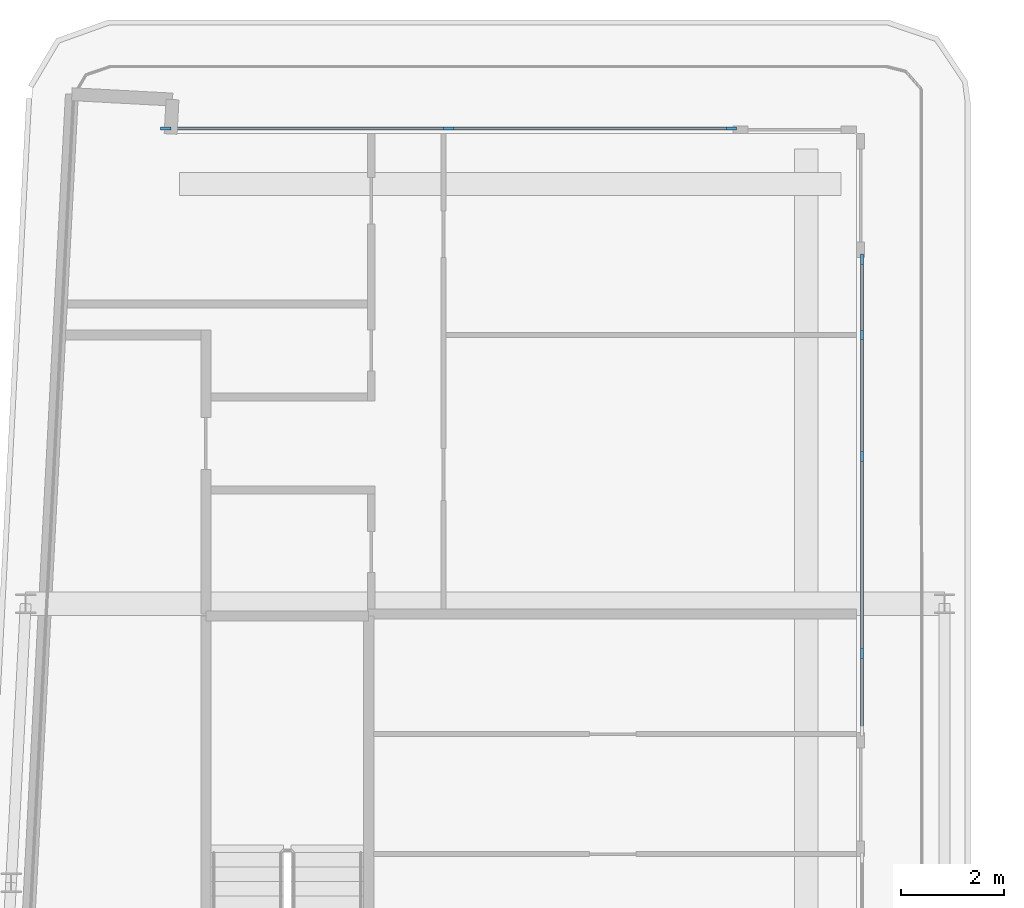
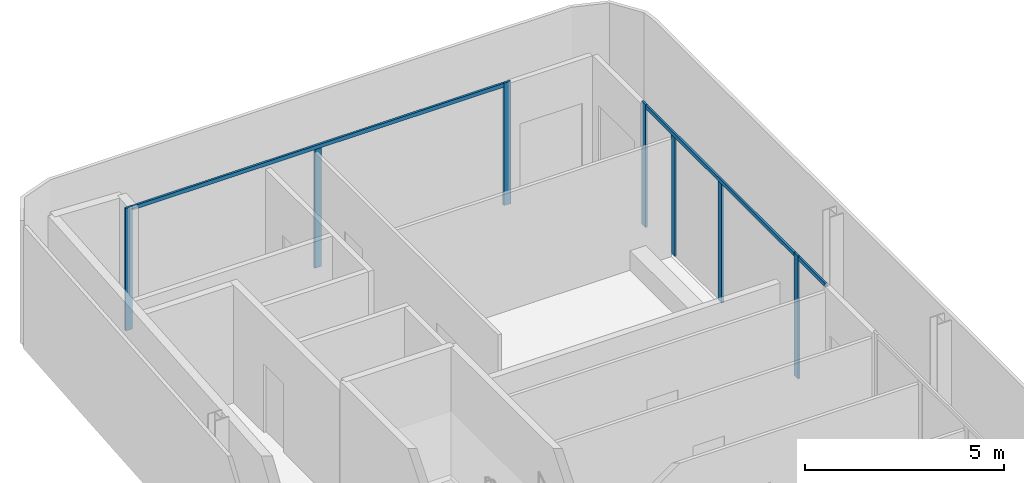
# One storey, part 8 of 21: 10 members, 3 elements without a shape of their own.
"""IFC4 building model written with IfcOpenShell, lengths in metres."""

import ifcopenshell
import ifcopenshell.guid

model = None  # the IFC model being written
_history = None  # IfcOwnerHistory: only IFC2X3 demands one
_inside = {}  # id of a spatial element -> (the spatial element, [elements in it])
_under = {}  # id of a project, library or spatial element -> (it, [spatial elements below it])
_declared = {}  # id of a project -> (the project, [libraries it declares])
_typed = {}  # id of a type object -> (the type object, [elements of that type])
_made_of = {}  # id of a material, layer set ... -> (it, [elements and type objects made of it])


def new_model(schema):
    """Start an empty IFC model of exactly this schema.

    Asked for "IFC4X3", IfcOpenShell would pick the latest addendum, in which some entities
    have other attributes; the version numbers below select the first issue.
    IFC2X3 requires an IfcOwnerHistory on every rooted entity: one is made here for all.
    """
    global model, _history
    if schema == "IFC4X3":
        model = ifcopenshell.file(schema_version=(4, 3, 0, 0))
    else:
        model = ifcopenshell.file(schema=schema)
    _inside.clear()
    _under.clear()
    _declared.clear()
    _typed.clear()
    _made_of.clear()
    _history = None
    if model.schema == "IFC2X3":
        org = make("IfcOrganization", Name="unknown")
        user = make(
            "IfcPersonAndOrganization",
            ThePerson=make("IfcPerson", FamilyName="unknown"),
            TheOrganization=org,
        )
        app = make(
            "IfcApplication",
            ApplicationDeveloper=org,
            Version="unknown",
            ApplicationFullName="unknown",
            ApplicationIdentifier="unknown",
        )
        _history = make(
            "IfcOwnerHistory",
            OwningUser=user,
            OwningApplication=app,
            ChangeAction="ADDED",
            CreationDate=0,
        )
    return model


def make(cls, **values):
    """One entity of the class cls with the attributes given. An attribute that is None is left unset."""
    return model.create_entity(
        cls, **{name: value for name, value in values.items() if value is not None}
    )


def rooted(cls, **values):
    """An entity with a GlobalId (a new one), such as an element, a storey or a relation."""
    return make(cls, GlobalId=ifcopenshell.guid.new(), OwnerHistory=_history, **values)


def si_unit(unit_type, name, prefix=None):
    """IfcSIUnit, for example si_unit("LENGTHUNIT", "METRE", prefix="MILLI")."""
    return make("IfcSIUnit", UnitType=unit_type, Prefix=prefix, Name=name)


def assignment(units):
    """IfcUnitAssignment: the units of a project."""
    return None if units is None else make("IfcUnitAssignment", Units=units)


def point(xyz):
    """IfcCartesianPoint."""
    return None if xyz is None else make("IfcCartesianPoint", Coordinates=xyz)


def direction(xyz):
    """IfcDirection."""
    return None if xyz is None else make("IfcDirection", DirectionRatios=xyz)


def frame(location, z_axis=None, x_axis=None):
    """IfcAxis2Placement3D, a coordinate frame: its origin and axes. An axis left out is left unset."""
    return make(
        "IfcAxis2Placement3D",
        Location=point(location),
        Axis=direction(z_axis),
        RefDirection=direction(x_axis),
    )


def frame_2d(location, x_axis=None):
    """IfcAxis2Placement2D, a coordinate frame in the plane: its origin and x axis."""
    return make(
        "IfcAxis2Placement2D", Location=point(location), RefDirection=direction(x_axis)
    )


def origin():
    """The frame at (0, 0, 0) with its axes left unset."""
    return frame((0.0, 0.0, 0.0))


def origin_2d():
    """The frame at (0, 0) in the plane with its x axis left unset."""
    return frame_2d((0.0, 0.0))


def place(relative_to, where):
    """IfcLocalPlacement: puts the frame where relative to a parent placement (None: the world)."""
    return make(
        "IfcLocalPlacement", PlacementRelTo=relative_to, RelativePlacement=where
    )


def context(
    kind, dimensions, precision=None, world=None, true_north=None, identifier=None
):
    """IfcGeometricRepresentationContext, for example the 3D "Model" context."""
    return make(
        "IfcGeometricRepresentationContext",
        ContextIdentifier=identifier,
        ContextType=kind,
        CoordinateSpaceDimension=dimensions,
        Precision=precision,
        WorldCoordinateSystem=world,
        TrueNorth=true_north,
    )


def subcontext(parent, identifier, kind, view, scale=None):
    """IfcGeometricRepresentationSubContext, for example "Body" below "Model"."""
    return make(
        "IfcGeometricRepresentationSubContext",
        ContextIdentifier=identifier,
        ContextType=kind,
        ParentContext=parent,
        TargetScale=scale,
        TargetView=view,
    )


def project(units=None, contexts=None):
    """IfcProject with its units and contexts."""
    return rooted(
        "IfcProject",
        Name="project",
        RepresentationContexts=contexts,
        UnitsInContext=assignment(units),
    )


def spatial(cls, under=None, at=None, **own):
    """A site, building, storey or space (cls), placed at a placement, below another one or the project."""
    s = rooted(cls, ObjectPlacement=at, **own)
    if under is not None:
        _under.setdefault(under.id(), (under, []))[1].append(s)
    return s


def profile(cls, at=None, kind="AREA", **sizes):
    """A parametric profile (cls). Its sizes go by their IFC names, for example OverallWidth=200.0."""
    return make(cls, ProfileType=kind, Position=at, **sizes)


def rectangle(**sizes):
    """IfcRectangleProfileDef."""
    return profile("IfcRectangleProfileDef", **sizes)


def extrude(swept, where, along, depth):
    """IfcExtrudedAreaSolid: the profile swept, set in the frame where, extruded along a direction by depth."""
    return make(
        "IfcExtrudedAreaSolid",
        SweptArea=swept,
        Position=where,
        ExtrudedDirection=direction(along),
        Depth=depth,
    )


def shape(context_of_items, identifier, shape_type, items):
    """IfcShapeRepresentation: the items that make up one representation, for example the "Body"."""
    return make(
        "IfcShapeRepresentation",
        ContextOfItems=context_of_items,
        RepresentationIdentifier=identifier,
        RepresentationType=shape_type,
        Items=items,
    )


def material(Name=None, Category=None):
    """IfcMaterial."""
    return make("IfcMaterial", Name=Name, Category=Category)


def layer(
    of_material, thickness, ventilated=None, Name=None, Category=None, Priority=None
):
    """IfcMaterialLayer: one layer of a wall or slab, of a material (None: an air gap)."""
    return make(
        "IfcMaterialLayer",
        Material=of_material,
        LayerThickness=thickness,
        IsVentilated=ventilated,
        Name=Name,
        Category=Category,
        Priority=Priority,
    )


def layer_set(layers, Name=None):
    """IfcMaterialLayerSet."""
    return make("IfcMaterialLayerSet", MaterialLayers=layers, LayerSetName=Name)


def material_profile(
    of_material, cross_section, Name=None, Category=None, Priority=None
):
    """IfcMaterialProfile: a cross section and its material."""
    return make(
        "IfcMaterialProfile",
        Name=Name,
        Material=of_material,
        Profile=cross_section,
        Priority=Priority,
        Category=Category,
    )


def profile_set(profiles, Name=None, composite=None):
    """IfcMaterialProfileSet."""
    return make(
        "IfcMaterialProfileSet",
        Name=Name,
        MaterialProfiles=profiles,
        CompositeProfile=composite,
    )


def made_of(thing, what):
    """Note that an element or type object is made of a material, layer set ...; save() writes the relation."""
    if what is not None:
        _made_of.setdefault(what.id(), (what, []))[1].append(thing)
    return thing


def type_object(cls, material=None, **own):
    """A type object (cls), such as IfcWallType, which elements share."""
    return made_of(rooted(cls, **own), material)


def element(
    cls,
    number,
    at=None,
    inside=None,
    cuts=None,
    type_object=None,
    material=None,
    context=None,
    identifier="Body",
    shape_type=None,
    held_by="IfcProductDefinitionShape",
    body=None,
    shapes=None,
    **own,
):
    """One element of the class cls, such as IfcWall. Its Tag is "e" and its number.

    at: its placement. inside: the storey or other place that contains it. cuts: it is an
    opening in that element (IfcRelVoidsElement). A single representation is given by context,
    identifier, shape_type and body (its items); several are given by shapes. held_by: the class
    of the entity that holds the representations. save() writes the other relations.
    """
    e = rooted(cls, Tag="e%d" % number, ObjectPlacement=at, **own)
    if body is not None:
        shapes = [shape(context, identifier, shape_type, body)]
    if shapes is not None:
        e.Representation = make(held_by, Representations=shapes)
    if inside is not None:
        _inside.setdefault(inside.id(), (inside, []))[1].append(e)
    if cuts is not None:
        rooted(
            "IfcRelVoidsElement", RelatingBuildingElement=cuts, RelatedOpeningElement=e
        )
    if type_object is not None:
        _typed.setdefault(type_object.id(), (type_object, []))[1].append(e)
    return made_of(e, material)


def aggregate(whole, parts):
    """IfcRelAggregates: a whole, such as a stair, and the parts it consists of."""
    return rooted("IfcRelAggregates", RelatingObject=whole, RelatedObjects=parts)


def save(model, path):
    """Write the relations noted so far, then the file.

    IfcRelAggregates (storeys below a building ...), IfcRelContainedInSpatialStructure (elements
    in a storey), IfcRelDefinesByType, IfcRelAssociatesMaterial and IfcRelDeclares: one each for
    every whole, place, type object, material and project.
    """
    for whole, parts in _under.values():
        aggregate(whole, parts)
    for where, things in _inside.values():
        rooted(
            "IfcRelContainedInSpatialStructure",
            RelatedElements=things,
            RelatingStructure=where,
        )
    for kind, things in _typed.values():
        rooted("IfcRelDefinesByType", RelatedObjects=things, RelatingType=kind)
    for what, things in _made_of.values():
        rooted("IfcRelAssociatesMaterial", RelatedObjects=things, RelatingMaterial=what)
    for by, libraries in _declared.values():
        rooted("IfcRelDeclares", RelatingContext=by, RelatedDefinitions=libraries)
    model.write(path)


model = new_model("IFC4")

# Units and contexts
model_context = context("Model", 3, precision=1e-05, world=origin(), true_north=direction((0.0, 1.0)))
body_context = subcontext(model_context, "Body", "Model", "MODEL_VIEW")
ifc_project = project(units=[si_unit("LENGTHUNIT", "METRE"), si_unit("AREAUNIT", "SQUARE_METRE"), si_unit("VOLUMEUNIT", "CUBIC_METRE"), si_unit("PLANEANGLEUNIT", "RADIAN"), si_unit("MASSUNIT", "GRAM", prefix="KILO")], contexts=[model_context])

# Site, building, storey
site_placement = place(None, origin())
site = spatial("IfcSite", under=ifc_project, at=site_placement, CompositionType="ELEMENT")
building_placement = place(site_placement, origin())
building = spatial("IfcBuilding", under=site, at=building_placement, Name="Kheshtan School and Residences Tower", CompositionType="ELEMENT")
storey_placement = place(building_placement, frame((0.0, 0.0, 278.60009765625)))
storey = spatial("IfcBuildingStorey", under=building, at=storey_placement, Name="L65", CompositionType="ELEMENT", Elevation=278.60009765625)

# Curtain wall, members
ifc_material_1 = material(Name="Clear low-e glass in thermally broken aluminium frame", Category="aluminium")
ifc_layer = layer(ifc_material_1, 0.199951171875)
ifc_layer_set = layer_set([ifc_layer], Name="Curtain wall CW-L")
curtain_wall_type = type_object("IfcCurtainWallType", Name="Curtain wall CW-L", PredefinedType="NOTDEFINED", material=ifc_layer_set)
curtain_wall_1_placement = place(storey_placement, origin())
curtain_wall_1 = element("IfcCurtainWall", 1, at=curtain_wall_1_placement, inside=storey, type_object=curtain_wall_type, Name="Curtain wall CWL7", PredefinedType="NOTDEFINED")
ifc_material_2 = material(Name="Thermally broken aluminium, dark bronze anodised", Category="aluminium")
ifc_material_profile_1 = material_profile(ifc_material_2, rectangle(XDim=0.06005859375, YDim=0.199951171875, at=origin_2d()), Name="CW-L mullion 60x200")
ifc_profile_set_1 = profile_set([ifc_material_profile_1], Name="Thermally broken aluminium, dark bronze anodised")
member_type_1 = type_object("IfcMemberType", Name="CW-L mullion 60x200", PredefinedType="MULLION", material=ifc_profile_set_1)
member_1_placement = place(storey_placement, frame((32.52197265625, 98.0, 0.0), z_axis=(0.0, 0.0, 1.0), x_axis=(0.0, 1.0, 0.0)))
member_1 = element("IfcMember", 2, at=member_1_placement, type_object=member_type_1, Name="CWL7 mullion 1", PredefinedType="MULLION", context=body_context, shape_type="SweptSolid", body=[
    extrude(rectangle(XDim=0.06005859375, YDim=0.199951171875, at=origin_2d()), origin(), (0.0, 0.0, 1.0), 3.75),
])
member_2_placement = place(storey_placement, frame((37.99609375, 98.0, 0.0), z_axis=(0.0, 0.0, 1.0), x_axis=(0.0, 1.0, 0.0)))
member_2 = element("IfcMember", 3, at=member_2_placement, type_object=member_type_1, Name="CWL7 mullion 2", PredefinedType="MULLION", context=body_context, shape_type="SweptSolid", body=[
    extrude(rectangle(XDim=0.06005859375, YDim=0.199951171875, at=origin_2d()), origin(), (0.0, 0.0, 1.0), 3.6298828125),
])
member_3_placement = place(storey_placement, frame((43.469970703125, 98.0, 0.0), z_axis=(0.0, 0.0, 1.0), x_axis=(0.0, 1.0, 0.0)))
member_3 = element("IfcMember", 4, at=member_3_placement, type_object=member_type_1, Name="CWL7 mullion 3", PredefinedType="MULLION", context=body_context, shape_type="SweptSolid", body=[
    extrude(rectangle(XDim=0.06005859375, YDim=0.199951171875, at=origin_2d()), origin(), (0.0, 0.0, 1.0), 3.75),
])

curtain_wall_2_placement = place(storey_placement, origin())
curtain_wall_2 = element("IfcCurtainWall", 5, at=curtain_wall_2_placement, inside=storey, type_object=curtain_wall_type, Name="Curtain wall CWL8c", PredefinedType="NOTDEFINED")
member_4_placement = place(storey_placement, frame((46.0, 95.469970703125, 0.0), z_axis=(0.0, 0.0, 1.0), x_axis=(1.0, 0.0, 0.0)))
member_4 = element("IfcMember", 6, at=member_4_placement, type_object=member_type_1, Name="CWL8c mullion 1", PredefinedType="MULLION", context=body_context, shape_type="SweptSolid", body=[
    extrude(rectangle(XDim=0.06005859375, YDim=0.199951171875, at=origin_2d()), origin(), (0.0, 0.0, 1.0), 3.75),
])
member_5_placement = place(storey_placement, frame((46.0, 94.0, 0.0), z_axis=(0.0, 0.0, 1.0), x_axis=(1.0, 0.0, 0.0)))
member_5 = element("IfcMember", 7, at=member_5_placement, type_object=member_type_1, Name="CWL8c mullion 2", PredefinedType="MULLION", context=body_context, shape_type="SweptSolid", body=[
    extrude(rectangle(XDim=0.06005859375, YDim=0.199951171875, at=origin_2d()), origin(), (0.0, 0.0, 1.0), 3.6298828125),
])
member_6_placement = place(storey_placement, frame((46.0, 91.653076171875, 0.0), z_axis=(0.0, 0.0, 1.0), x_axis=(1.0, 0.0, 0.0)))
member_6 = element("IfcMember", 8, at=member_6_placement, type_object=member_type_1, Name="CWL8c mullion 3", PredefinedType="MULLION", context=body_context, shape_type="SweptSolid", body=[
    extrude(rectangle(XDim=0.06005859375, YDim=0.199951171875, at=origin_2d()), origin(), (0.0, 0.0, 1.0), 3.6298828125),
])
member_7_placement = place(storey_placement, frame((46.0, 87.8359375, 0.0), z_axis=(0.0, 0.0, 1.0), x_axis=(1.0, 0.0, 0.0)))
member_7 = element("IfcMember", 9, at=member_7_placement, type_object=member_type_1, Name="CWL8c mullion 4", PredefinedType="MULLION", context=body_context, shape_type="SweptSolid", body=[
    extrude(rectangle(XDim=0.06005859375, YDim=0.199951171875, at=origin_2d()), origin(), (0.0, 0.0, 1.0), 3.75),
])

# Member
ifc_material_profile_2 = material_profile(ifc_material_2, rectangle(XDim=0.06005859375, YDim=0.1201171875, at=origin_2d()), Name="CW-L transom 60x120")
ifc_profile_set_2 = profile_set([ifc_material_profile_2], Name="Thermally broken aluminium, dark bronze anodised")
member_type_2 = type_object("IfcMemberType", Name="CW-L transom 60x120", PredefinedType="USERDEFINED", material=ifc_profile_set_2)
member_8_placement = place(storey_placement, frame((32.552001953125, 98.0, 3.68994140625), z_axis=(1.0, 0.0, 0.0), x_axis=(0.0, 1.0, 0.0)))
member_8 = element("IfcMember", 10, at=member_8_placement, type_object=member_type_2, Name="CWL7 transom 1", ObjectType="TRANSOM", PredefinedType="USERDEFINED", context=body_context, shape_type="SweptSolid", body=[
    extrude(rectangle(XDim=0.06005859375, YDim=0.1201171875, at=origin_2d()), origin(), (0.0, 0.0, 1.0), 10.887939453125),
])

aggregate(curtain_wall_1, [member_1, member_2, member_3, member_8])

member_9_placement = place(storey_placement, frame((46.0, 95.43994140625, 3.68994140625), z_axis=(0.0, -1.0, 0.0), x_axis=(1.0, 0.0, 0.0)))
member_9 = element("IfcMember", 11, at=member_9_placement, type_object=member_type_2, Name="CWL8c transom 1", ObjectType="TRANSOM", PredefinedType="USERDEFINED", context=body_context, shape_type="SweptSolid", body=[
    extrude(rectangle(XDim=0.06005859375, YDim=0.1201171875, at=origin_2d()), origin(), (0.0, 0.0, 1.0), 7.573974609375),
])

aggregate(curtain_wall_2, [member_4, member_5, member_6, member_7, member_9])

# Curtain wall, member
curtain_wall_3_placement = place(storey_placement, origin())
curtain_wall_3 = element("IfcCurtainWall", 12, at=curtain_wall_3_placement, inside=storey, type_object=curtain_wall_type, Name="Curtain wall CWL8a", PredefinedType="NOTDEFINED")
member_10_placement = place(storey_placement, frame((46.0, 87.805908203125, 3.68994140625), z_axis=(0.0, -1.0, 0.0), x_axis=(1.0, 0.0, 0.0)))
member_10 = element("IfcMember", 13, at=member_10_placement, type_object=member_type_2, Name="CWL8a transom 1", ObjectType="TRANSOM", PredefinedType="USERDEFINED", context=body_context, shape_type="SweptSolid", body=[
    extrude(rectangle(XDim=0.06005859375, YDim=0.1201171875, at=origin_2d()), origin(), (0.0, 0.0, 1.0), 1.43994140625),
])
aggregate(curtain_wall_3, [member_10])

save(model, "model.ifc")
